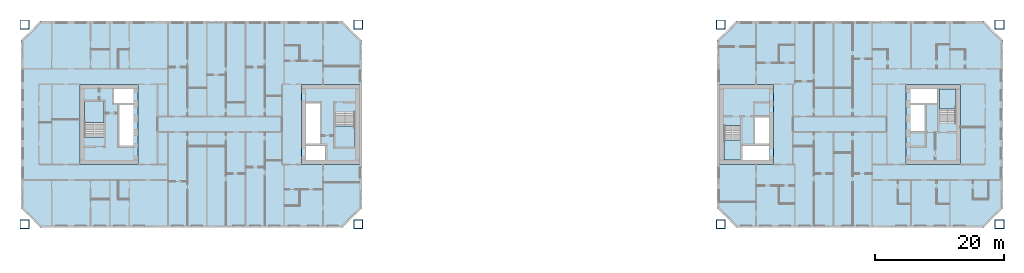
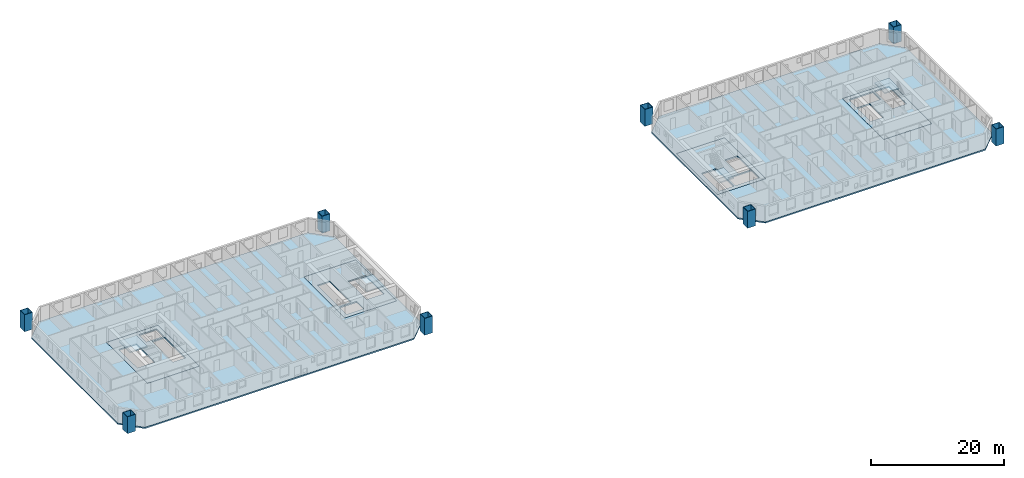
# One storey, part 1 of 17: 10 slabs, 8 columns, 4 elements without a shape of their own.
"""IFC4 building model written with IfcOpenShell, lengths in metres."""

import ifcopenshell
import ifcopenshell.guid

model = None  # the IFC model being written
_history = None  # IfcOwnerHistory: only IFC2X3 demands one
_inside = {}  # id of a spatial element -> (the spatial element, [elements in it])
_under = {}  # id of a project, library or spatial element -> (it, [spatial elements below it])
_declared = {}  # id of a project -> (the project, [libraries it declares])
_typed = {}  # id of a type object -> (the type object, [elements of that type])
_made_of = {}  # id of a material, layer set ... -> (it, [elements and type objects made of it])


def new_model(schema):
    """Start an empty IFC model of exactly this schema.

    Asked for "IFC4X3", IfcOpenShell would pick the latest addendum, in which some entities
    have other attributes; the version numbers below select the first issue.
    IFC2X3 requires an IfcOwnerHistory on every rooted entity: one is made here for all.
    """
    global model, _history
    if schema == "IFC4X3":
        model = ifcopenshell.file(schema_version=(4, 3, 0, 0))
    else:
        model = ifcopenshell.file(schema=schema)
    _inside.clear()
    _under.clear()
    _declared.clear()
    _typed.clear()
    _made_of.clear()
    _history = None
    if model.schema == "IFC2X3":
        org = make("IfcOrganization", Name="unknown")
        user = make(
            "IfcPersonAndOrganization",
            ThePerson=make("IfcPerson", FamilyName="unknown"),
            TheOrganization=org,
        )
        app = make(
            "IfcApplication",
            ApplicationDeveloper=org,
            Version="unknown",
            ApplicationFullName="unknown",
            ApplicationIdentifier="unknown",
        )
        _history = make(
            "IfcOwnerHistory",
            OwningUser=user,
            OwningApplication=app,
            ChangeAction="ADDED",
            CreationDate=0,
        )
    return model


def make(cls, **values):
    """One entity of the class cls with the attributes given. An attribute that is None is left unset."""
    return model.create_entity(
        cls, **{name: value for name, value in values.items() if value is not None}
    )


def rooted(cls, **values):
    """An entity with a GlobalId (a new one), such as an element, a storey or a relation."""
    return make(cls, GlobalId=ifcopenshell.guid.new(), OwnerHistory=_history, **values)


def si_unit(unit_type, name, prefix=None):
    """IfcSIUnit, for example si_unit("LENGTHUNIT", "METRE", prefix="MILLI")."""
    return make("IfcSIUnit", UnitType=unit_type, Prefix=prefix, Name=name)


def assignment(units):
    """IfcUnitAssignment: the units of a project."""
    return None if units is None else make("IfcUnitAssignment", Units=units)


def point(xyz):
    """IfcCartesianPoint."""
    return None if xyz is None else make("IfcCartesianPoint", Coordinates=xyz)


def direction(xyz):
    """IfcDirection."""
    return None if xyz is None else make("IfcDirection", DirectionRatios=xyz)


def frame(location, z_axis=None, x_axis=None):
    """IfcAxis2Placement3D, a coordinate frame: its origin and axes. An axis left out is left unset."""
    return make(
        "IfcAxis2Placement3D",
        Location=point(location),
        Axis=direction(z_axis),
        RefDirection=direction(x_axis),
    )


def frame_2d(location, x_axis=None):
    """IfcAxis2Placement2D, a coordinate frame in the plane: its origin and x axis."""
    return make(
        "IfcAxis2Placement2D", Location=point(location), RefDirection=direction(x_axis)
    )


def origin():
    """The frame at (0, 0, 0) with its axes left unset."""
    return frame((0.0, 0.0, 0.0))


def origin_2d():
    """The frame at (0, 0) in the plane with its x axis left unset."""
    return frame_2d((0.0, 0.0))


def place(relative_to, where):
    """IfcLocalPlacement: puts the frame where relative to a parent placement (None: the world)."""
    return make(
        "IfcLocalPlacement", PlacementRelTo=relative_to, RelativePlacement=where
    )


def context(
    kind, dimensions, precision=None, world=None, true_north=None, identifier=None
):
    """IfcGeometricRepresentationContext, for example the 3D "Model" context."""
    return make(
        "IfcGeometricRepresentationContext",
        ContextIdentifier=identifier,
        ContextType=kind,
        CoordinateSpaceDimension=dimensions,
        Precision=precision,
        WorldCoordinateSystem=world,
        TrueNorth=true_north,
    )


def subcontext(parent, identifier, kind, view, scale=None):
    """IfcGeometricRepresentationSubContext, for example "Body" below "Model"."""
    return make(
        "IfcGeometricRepresentationSubContext",
        ContextIdentifier=identifier,
        ContextType=kind,
        ParentContext=parent,
        TargetScale=scale,
        TargetView=view,
    )


def project(units=None, contexts=None):
    """IfcProject with its units and contexts."""
    return rooted(
        "IfcProject",
        Name="project",
        RepresentationContexts=contexts,
        UnitsInContext=assignment(units),
    )


def spatial(cls, under=None, at=None, **own):
    """A site, building, storey or space (cls), placed at a placement, below another one or the project."""
    s = rooted(cls, ObjectPlacement=at, **own)
    if under is not None:
        _under.setdefault(under.id(), (under, []))[1].append(s)
    return s


def polyline(points):
    """IfcPolyline through the points."""
    return make("IfcPolyline", Points=[point(p) for p in points])


def profile(cls, at=None, kind="AREA", **sizes):
    """A parametric profile (cls). Its sizes go by their IFC names, for example OverallWidth=200.0."""
    return make(cls, ProfileType=kind, Position=at, **sizes)


def hollow_rectangle(**sizes):
    """IfcRectangleHollowProfileDef."""
    return profile("IfcRectangleHollowProfileDef", **sizes)


def outline(outer, holes=None, kind="AREA"):
    """IfcArbitraryClosedProfileDef: a profile drawn as a closed curve; with holes, ...WithVoids."""
    if holes is None:
        return make("IfcArbitraryClosedProfileDef", ProfileType=kind, OuterCurve=outer)
    return make(
        "IfcArbitraryProfileDefWithVoids",
        ProfileType=kind,
        OuterCurve=outer,
        InnerCurves=holes,
    )


def extrude(swept, where, along, depth):
    """IfcExtrudedAreaSolid: the profile swept, set in the frame where, extruded along a direction by depth."""
    return make(
        "IfcExtrudedAreaSolid",
        SweptArea=swept,
        Position=where,
        ExtrudedDirection=direction(along),
        Depth=depth,
    )


def shape(context_of_items, identifier, shape_type, items):
    """IfcShapeRepresentation: the items that make up one representation, for example the "Body"."""
    return make(
        "IfcShapeRepresentation",
        ContextOfItems=context_of_items,
        RepresentationIdentifier=identifier,
        RepresentationType=shape_type,
        Items=items,
    )


def material(Name=None, Category=None):
    """IfcMaterial."""
    return make("IfcMaterial", Name=Name, Category=Category)


def layer(
    of_material, thickness, ventilated=None, Name=None, Category=None, Priority=None
):
    """IfcMaterialLayer: one layer of a wall or slab, of a material (None: an air gap)."""
    return make(
        "IfcMaterialLayer",
        Material=of_material,
        LayerThickness=thickness,
        IsVentilated=ventilated,
        Name=Name,
        Category=Category,
        Priority=Priority,
    )


def layer_set(layers, Name=None):
    """IfcMaterialLayerSet."""
    return make("IfcMaterialLayerSet", MaterialLayers=layers, LayerSetName=Name)


def material_profile(
    of_material, cross_section, Name=None, Category=None, Priority=None
):
    """IfcMaterialProfile: a cross section and its material."""
    return make(
        "IfcMaterialProfile",
        Name=Name,
        Material=of_material,
        Profile=cross_section,
        Priority=Priority,
        Category=Category,
    )


def profile_set(profiles, Name=None, composite=None):
    """IfcMaterialProfileSet."""
    return make(
        "IfcMaterialProfileSet",
        Name=Name,
        MaterialProfiles=profiles,
        CompositeProfile=composite,
    )


def made_of(thing, what):
    """Note that an element or type object is made of a material, layer set ...; save() writes the relation."""
    if what is not None:
        _made_of.setdefault(what.id(), (what, []))[1].append(thing)
    return thing


def type_object(cls, material=None, **own):
    """A type object (cls), such as IfcWallType, which elements share."""
    return made_of(rooted(cls, **own), material)


def element(
    cls,
    number,
    at=None,
    inside=None,
    cuts=None,
    type_object=None,
    material=None,
    context=None,
    identifier="Body",
    shape_type=None,
    held_by="IfcProductDefinitionShape",
    body=None,
    shapes=None,
    **own,
):
    """One element of the class cls, such as IfcWall. Its Tag is "e" and its number.

    at: its placement. inside: the storey or other place that contains it. cuts: it is an
    opening in that element (IfcRelVoidsElement). A single representation is given by context,
    identifier, shape_type and body (its items); several are given by shapes. held_by: the class
    of the entity that holds the representations. save() writes the other relations.
    """
    e = rooted(cls, Tag="e%d" % number, ObjectPlacement=at, **own)
    if body is not None:
        shapes = [shape(context, identifier, shape_type, body)]
    if shapes is not None:
        e.Representation = make(held_by, Representations=shapes)
    if inside is not None:
        _inside.setdefault(inside.id(), (inside, []))[1].append(e)
    if cuts is not None:
        rooted(
            "IfcRelVoidsElement", RelatingBuildingElement=cuts, RelatedOpeningElement=e
        )
    if type_object is not None:
        _typed.setdefault(type_object.id(), (type_object, []))[1].append(e)
    return made_of(e, material)


def aggregate(whole, parts):
    """IfcRelAggregates: a whole, such as a stair, and the parts it consists of."""
    return rooted("IfcRelAggregates", RelatingObject=whole, RelatedObjects=parts)


def save(model, path):
    """Write the relations noted so far, then the file.

    IfcRelAggregates (storeys below a building ...), IfcRelContainedInSpatialStructure (elements
    in a storey), IfcRelDefinesByType, IfcRelAssociatesMaterial and IfcRelDeclares: one each for
    every whole, place, type object, material and project.
    """
    for whole, parts in _under.values():
        aggregate(whole, parts)
    for where, things in _inside.values():
        rooted(
            "IfcRelContainedInSpatialStructure",
            RelatedElements=things,
            RelatingStructure=where,
        )
    for kind, things in _typed.values():
        rooted("IfcRelDefinesByType", RelatedObjects=things, RelatingType=kind)
    for what, things in _made_of.values():
        rooted("IfcRelAssociatesMaterial", RelatedObjects=things, RelatingMaterial=what)
    for by, libraries in _declared.values():
        rooted("IfcRelDeclares", RelatingContext=by, RelatedDefinitions=libraries)
    model.write(path)


model = new_model("IFC4")

# Units and contexts
model_context = context("Model", 3, precision=1e-05, world=origin(), true_north=direction((0.0, 1.0)))
body_context = subcontext(model_context, "Body", "Model", "MODEL_VIEW")
ifc_project = project(units=[si_unit("LENGTHUNIT", "METRE"), si_unit("AREAUNIT", "SQUARE_METRE"), si_unit("VOLUMEUNIT", "CUBIC_METRE"), si_unit("PLANEANGLEUNIT", "RADIAN"), si_unit("MASSUNIT", "GRAM", prefix="KILO")], contexts=[model_context])

# Site, building, storey
site_placement = place(None, origin())
site = spatial("IfcSite", under=ifc_project, at=site_placement, CompositionType="ELEMENT")
building_placement = place(site_placement, origin())
building = spatial("IfcBuilding", under=site, at=building_placement, Name="Tuart Gate Housing", CompositionType="ELEMENT")
storey_placement = place(building_placement, frame((0.0, 0.0, 84.0)))
storey = spatial("IfcBuildingStorey", under=building, at=storey_placement, Name="L23", CompositionType="ELEMENT", Elevation=84.0)

# Columns
ifc_material_1 = material(Name="Steel Grade 350", Category="steel")
ifc_material_profile = material_profile(ifc_material_1, hollow_rectangle(XDim=1.39990234375, YDim=1.39990234375, WallThickness=0.074951171875, at=origin_2d()), Name="BOX 1400x1400x75")
ifc_profile_set = profile_set([ifc_material_profile], Name="Steel Grade 350")
column_type = type_object("IfcColumnType", Name="Mega column BOX 1400x1400x75", PredefinedType="COLUMN", material=ifc_profile_set)
for number, where, z_axis, x_axis, name in (
    (1, (23.800048828125, 54.550048828125, 0.0), (0.0, 0.0, 1.0), (1.0, 0.0, 0.0), "Mega column A south-west L23"),
    (2, (75.449951171875, 54.550048828125, 0.0), (0.0, 0.0, 1.0), (1.0, 0.0, 0.0), "Mega column A south-east L23"),
    (3, (75.449951171875, 85.449951171875, 0.0), (0.0, 0.0, 1.0), (1.0, 0.0, 0.0), "Mega column A north-east L23"),
    (4, (23.800048828125, 85.449951171875, 0.0), (0.0, 0.0, 1.0), (1.0, 0.0, 0.0), "Mega column A north-west L23"),
    (5, (131.550048828125, 54.550048828125, 0.0), (0.0, 0.0, 1.0), (1.0, 0.0, 0.0), "Mega column B south-west L23"),
    (6, (174.699951171875, 54.550048828125, 0.0), (0.0, 0.0, 1.0), (1.0, 0.0, 0.0), "Mega column B south-east L23"),
    (7, (174.699951171875, 85.449951171875, 0.0), (0.0, 0.0, 1.0), (1.0, 0.0, 0.0), "Mega column B north-east L23"),
    (8, (131.550048828125, 85.449951171875, 0.0), (0.0, 0.0, 1.0), (1.0, 0.0, 0.0), "Mega column B north-west L23"),
):
    element("IfcColumn", number, at=place(storey_placement, frame(where, z_axis=z_axis, x_axis=x_axis)), inside=storey, type_object=column_type, Name=name, PredefinedType="COLUMN", context=body_context, shape_type="SweptSolid", body=[
        extrude(hollow_rectangle(XDim=1.39990234375, YDim=1.39990234375, WallThickness=0.074951171875, at=origin_2d()), origin(), (0.0, 0.0, 1.0), 3.10009765625),
    ])

# Slabs
ifc_material_2 = material(Name="Concrete C40", Category="concrete")
ifc_layer_1 = layer(ifc_material_2, 0.25)
ifc_layer_set_1 = layer_set([ifc_layer_1], Name="Core floor slab 250")
slab_type_1 = type_object("IfcSlabType", Name="Core floor slab 250", PredefinedType="FLOOR", material=ifc_layer_set_1)
slab_1_placement = place(storey_placement, frame((0.0, 0.0, -0.25)))
element("IfcSlab", 9, at=slab_1_placement, inside=storey, type_object=slab_type_1, Name="Core floor AG", PredefinedType="FLOOR", context=body_context, shape_type="SweptSolid", body=[
    extrude(outline(polyline([(66.639892578125, 63.800048828125), (75.639892578125, 63.800048828125), (75.639892578125, 76.199951171875), (66.639892578125, 76.199951171875), (66.639892578125, 63.800048828125)]), holes=[polyline([(67.340087890625, 64.5), (70.360107421875, 64.5), (70.360107421875, 66.699951171875), (67.340087890625, 66.699951171875), (67.340087890625, 64.5)]), polyline([(67.340087890625, 67.0), (69.5400390625, 67.0), (69.5400390625, 73.300048828125), (67.340087890625, 73.300048828125), (67.340087890625, 67.0)]), polyline([(71.889892578125, 66.35009765625), (74.93994140625, 66.35009765625), (74.93994140625, 71.929931640625), (71.889892578125, 71.929931640625), (71.889892578125, 66.35009765625)])]), origin(), (0.0, 0.0, 1.0), 0.25),
])
slab_2_placement = place(storey_placement, frame((0.0, 0.0, -0.25)))
element("IfcSlab", 10, at=slab_2_placement, inside=storey, type_object=slab_type_1, Name="Core floor AK", PredefinedType="FLOOR", context=body_context, shape_type="SweptSolid", body=[
    extrude(outline(polyline([(32.360107421875, 63.800048828125), (41.360107421875, 63.800048828125), (41.360107421875, 76.199951171875), (32.360107421875, 76.199951171875), (32.360107421875, 63.800048828125)]), holes=[polyline([(40.659912109375, 75.5), (37.639892578125, 75.5), (37.639892578125, 73.300048828125), (40.659912109375, 73.300048828125), (40.659912109375, 75.5)]), polyline([(40.659912109375, 73.0), (38.4599609375, 73.0), (38.4599609375, 66.699951171875), (40.659912109375, 66.699951171875), (40.659912109375, 73.0)]), polyline([(36.110107421875, 73.64990234375), (33.06005859375, 73.64990234375), (33.06005859375, 68.070068359375), (36.110107421875, 68.070068359375), (36.110107421875, 73.64990234375)])]), origin(), (0.0, 0.0, 1.0), 0.25),
])
slab_3_placement = place(storey_placement, frame((0.0, 0.0, -0.25)))
element("IfcSlab", 11, at=slab_3_placement, inside=storey, type_object=slab_type_1, Name="Core floor BG", PredefinedType="FLOOR", context=body_context, shape_type="SweptSolid", body=[
    extrude(outline(polyline([(131.360107421875, 63.800048828125), (139.760009765625, 63.800048828125), (139.760009765625, 76.199951171875), (131.360107421875, 76.199951171875), (131.360107421875, 63.800048828125)]), holes=[polyline([(139.06005859375, 66.85009765625), (134.909912109375, 66.85009765625), (134.909912109375, 64.5), (139.06005859375, 64.5), (139.06005859375, 66.85009765625)]), polyline([(139.06005859375, 71.10009765625), (136.860107421875, 71.10009765625), (136.860107421875, 67.0), (139.06005859375, 67.0), (139.06005859375, 71.10009765625)]), polyline([(134.610107421875, 69.830078125), (132.06005859375, 69.830078125), (132.06005859375, 64.5), (134.610107421875, 64.5), (134.610107421875, 69.830078125)])]), origin(), (0.0, 0.0, 1.0), 0.25),
])
slab_4_placement = place(storey_placement, frame((0.0, 0.0, -0.25)))
element("IfcSlab", 12, at=slab_4_placement, inside=storey, type_object=slab_type_1, Name="Core floor BK", PredefinedType="FLOOR", context=body_context, shape_type="SweptSolid", body=[
    extrude(outline(polyline([(160.239990234375, 63.800048828125), (168.639892578125, 63.800048828125), (168.639892578125, 76.199951171875), (160.239990234375, 76.199951171875), (160.239990234375, 63.800048828125)]), holes=[polyline([(160.93994140625, 73.14990234375), (165.090087890625, 73.14990234375), (165.090087890625, 75.5), (160.93994140625, 75.5), (160.93994140625, 73.14990234375)]), polyline([(160.93994140625, 68.89990234375), (163.139892578125, 68.89990234375), (163.139892578125, 73.0), (160.93994140625, 73.0), (160.93994140625, 68.89990234375)]), polyline([(165.389892578125, 70.169921875), (167.93994140625, 70.169921875), (167.93994140625, 75.5), (165.389892578125, 75.5), (165.389892578125, 70.169921875)])]), origin(), (0.0, 0.0, 1.0), 0.25),
])
ifc_material_3 = material(Name="Concrete C40", Category="concrete")
ifc_layer_2 = layer(ifc_material_3, 0.25)
ifc_layer_set_2 = layer_set([ifc_layer_2], Name="Flat plate 250")
slab_type_2 = type_object("IfcSlabType", Name="Flat plate 250", PredefinedType="FLOOR", material=ifc_layer_set_2)
slab_5_placement = place(storey_placement, frame((0.0, 0.0, -0.25)))
element("IfcSlab", 13, at=slab_5_placement, inside=storey, type_object=slab_type_2, Name="Floor slab A L23", PredefinedType="FLOOR", context=body_context, shape_type="SweptSolid", body=[
    extrude(outline(polyline([(26.25, 86.0), (23.25, 83.0), (23.25, 57.0), (26.25, 54.0), (73.0, 54.0), (76.0, 57.0), (76.0, 83.0), (73.0, 86.0), (26.25, 86.0)]), holes=[polyline([(66.639892578125, 76.199951171875), (75.639892578125, 76.199951171875), (75.639892578125, 63.800048828125), (66.639892578125, 63.800048828125), (66.639892578125, 76.199951171875)]), polyline([(41.360107421875, 76.199951171875), (41.360107421875, 63.800048828125), (32.360107421875, 63.800048828125), (32.360107421875, 76.199951171875), (41.360107421875, 76.199951171875)])]), origin(), (0.0, 0.0, 1.0), 0.25),
])
slab_6_placement = place(storey_placement, frame((0.0, 0.0, -0.25)))
element("IfcSlab", 14, at=slab_6_placement, inside=storey, type_object=slab_type_2, Name="Floor slab B L23", PredefinedType="FLOOR", context=body_context, shape_type="SweptSolid", body=[
    extrude(outline(polyline([(134.0, 86.0), (131.0, 83.0), (131.0, 57.0), (134.0, 54.0), (172.25, 54.0), (175.25, 57.0), (175.25, 83.0), (172.25, 86.0), (134.0, 86.0)]), holes=[polyline([(131.360107421875, 76.199951171875), (139.760009765625, 76.199951171875), (139.760009765625, 63.800048828125), (131.360107421875, 63.800048828125), (131.360107421875, 76.199951171875)]), polyline([(168.639892578125, 76.199951171875), (168.639892578125, 63.800048828125), (160.239990234375, 63.800048828125), (160.239990234375, 76.199951171875), (168.639892578125, 76.199951171875)])]), origin(), (0.0, 0.0, 1.0), 0.25),
])

# Stair, slab
ifc_material_4 = material(Name="Concrete C40", Category="concrete")
stair_type_1 = type_object("IfcStairType", Name="Core stair 1500", PredefinedType="HALF_TURN_STAIR", material=ifc_material_4)
stair_1_placement = place(storey_placement, origin())
stair_1 = element("IfcStair", 15, at=stair_1_placement, inside=storey, type_object=stair_type_1, Name="Stair SA1", PredefinedType="HALF_TURN_STAIR")
ifc_material_5 = material(Name="Concrete C40", Category="concrete")
ifc_layer_3 = layer(ifc_material_5, 0.199951171875)
ifc_layer_set_3 = layer_set([ifc_layer_3], Name="Stair landing 200")
slab_type_3 = type_object("IfcSlabType", Name="Stair landing 200", PredefinedType="LANDING", material=ifc_layer_set_3)
slab_7_placement = place(storey_placement, frame((0.0, 0.0, 1.35009765625)))
slab_7 = element("IfcSlab", 16, at=slab_7_placement, type_object=slab_type_3, Name="SA1 landing 1", PredefinedType="LANDING", context=body_context, shape_type="SweptSolid", body=[
    extrude(outline(polyline([(71.889892578125, 66.35009765625), (74.93994140625, 66.35009765625), (74.93994140625, 69.7099609375), (71.889892578125, 69.7099609375), (71.889892578125, 66.35009765625)])), origin(), (0.0, 0.0, 1.0), 0.199951171875),
])
aggregate(stair_1, [slab_7])

stair_2_placement = place(storey_placement, origin())
stair_2 = element("IfcStair", 17, at=stair_2_placement, inside=storey, type_object=stair_type_1, Name="Stair SA2", PredefinedType="HALF_TURN_STAIR")
slab_8_placement = place(storey_placement, frame((0.0, 0.0, 1.35009765625)))
slab_8 = element("IfcSlab", 18, at=slab_8_placement, type_object=slab_type_3, Name="SA2 landing 1", PredefinedType="LANDING", context=body_context, shape_type="SweptSolid", body=[
    extrude(outline(polyline([(36.110107421875, 73.64990234375), (33.06005859375, 73.64990234375), (33.06005859375, 70.2900390625), (36.110107421875, 70.2900390625), (36.110107421875, 73.64990234375)])), origin(), (0.0, 0.0, 1.0), 0.199951171875),
])
aggregate(stair_2, [slab_8])

ifc_material_6 = material(Name="Concrete C40", Category="concrete")
stair_type_2 = type_object("IfcStairType", Name="Core stair 1250", PredefinedType="HALF_TURN_STAIR", material=ifc_material_6)
stair_3_placement = place(storey_placement, origin())
stair_3 = element("IfcStair", 19, at=stair_3_placement, inside=storey, type_object=stair_type_2, Name="Stair SB1", PredefinedType="HALF_TURN_STAIR")
slab_9_placement = place(storey_placement, frame((0.0, 0.0, 1.35009765625)))
slab_9 = element("IfcSlab", 20, at=slab_9_placement, type_object=slab_type_3, Name="SB1 landing 1", PredefinedType="LANDING", context=body_context, shape_type="SweptSolid", body=[
    extrude(outline(polyline([(134.610107421875, 67.610107421875), (132.06005859375, 67.610107421875), (132.06005859375, 64.5), (134.610107421875, 64.5), (134.610107421875, 67.610107421875)])), origin(), (0.0, 0.0, 1.0), 0.199951171875),
])
aggregate(stair_3, [slab_9])

stair_4_placement = place(storey_placement, origin())
stair_4 = element("IfcStair", 21, at=stair_4_placement, inside=storey, type_object=stair_type_2, Name="Stair SB2", PredefinedType="HALF_TURN_STAIR")
slab_10_placement = place(storey_placement, frame((0.0, 0.0, 1.35009765625)))
slab_10 = element("IfcSlab", 22, at=slab_10_placement, type_object=slab_type_3, Name="SB2 landing 1", PredefinedType="LANDING", context=body_context, shape_type="SweptSolid", body=[
    extrude(outline(polyline([(165.389892578125, 72.389892578125), (167.93994140625, 72.389892578125), (167.93994140625, 75.5), (165.389892578125, 75.5), (165.389892578125, 72.389892578125)])), origin(), (0.0, 0.0, 1.0), 0.199951171875),
])
aggregate(stair_4, [slab_10])

save(model, "model.ifc")
